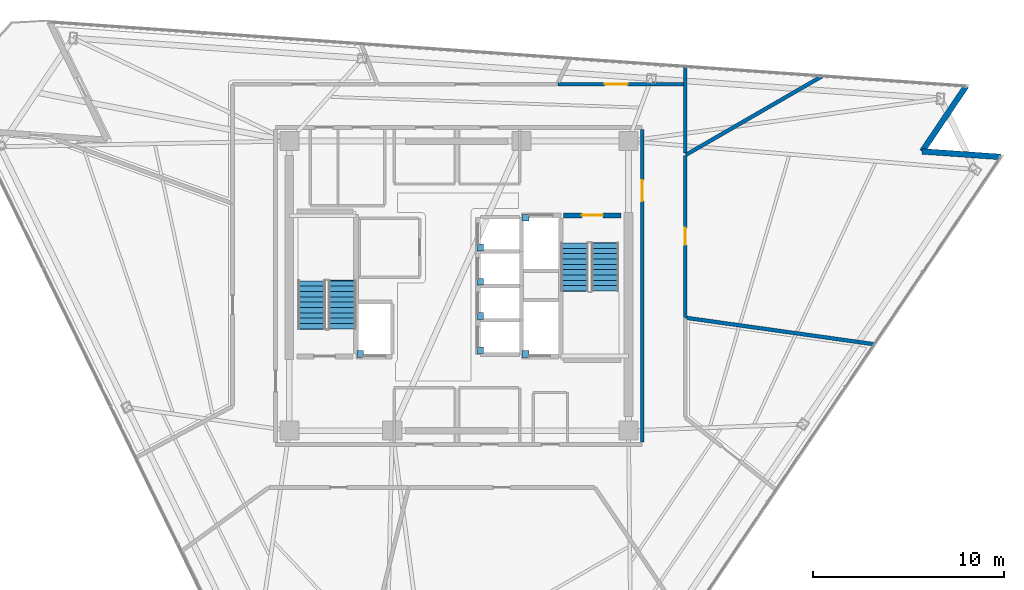
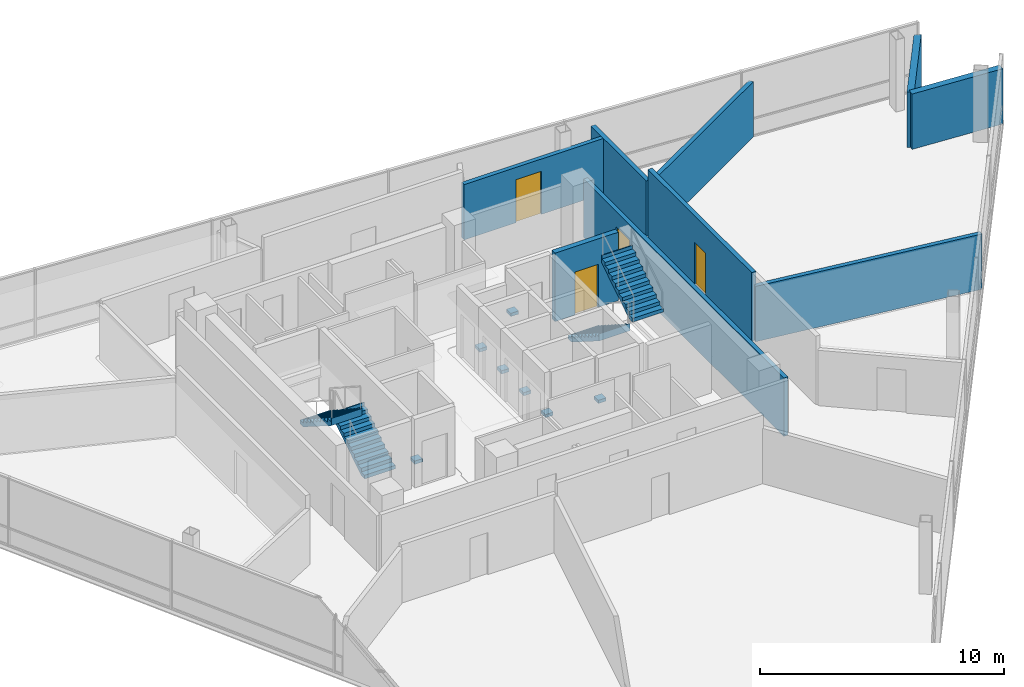
# One storey, part 11 of 13: 9 walls, 7 discrete accessories, 4 doors, 4 stair flights, 4 openings, 2 elements without a shape of their own.
"""IFC4 building model written with IfcOpenShell, lengths in metres."""

from ifc_helpers import new_model, si_unit, direction, frame, frame_2d, origin, origin_2d, place, context, subcontext, project, spatial, polyline, rectangle, outline, extrude, material, layer, layer_set, type_object, element, fill, aggregate, save


model = new_model("IFC4")

# Units and contexts
model_context = context("Model", 3, precision=1e-05, world=origin(), true_north=direction((0.0, 1.0)))
body_context = subcontext(model_context, "Body", "Model", "MODEL_VIEW")
ifc_project = project(units=[si_unit("LENGTHUNIT", "METRE"), si_unit("AREAUNIT", "SQUARE_METRE"), si_unit("VOLUMEUNIT", "CUBIC_METRE"), si_unit("PLANEANGLEUNIT", "RADIAN"), si_unit("MASSUNIT", "GRAM", prefix="KILO")], contexts=[model_context])

# Site, building, storey
site_placement = place(None, origin())
site = spatial("IfcSite", under=ifc_project, at=site_placement, CompositionType="ELEMENT")
building_placement = place(site_placement, origin())
building = spatial("IfcBuilding", under=site, at=building_placement, Name="Tharavind Bronze Gate", CompositionType="ELEMENT")
storey_placement = place(building_placement, frame((0.0, 0.0, 234.25)))
storey = spatial("IfcBuildingStorey", under=building, at=storey_placement, Name="L60", CompositionType="ELEMENT", Elevation=234.25)

# Walls
ifc_material_1 = material(Name="Concrete C40/50", Category="concrete")
ifc_layer_1 = layer(ifc_material_1, 0.300048828125)
ifc_layer_set_1 = layer_set([ifc_layer_1], Name="Concrete C40/50")
wall_type_1 = type_object("IfcWallType", Name="EXTERIOR SPANDREL WALL 300", PredefinedType="STANDARD", material=ifc_layer_set_1)
for number, where, z_axis, x_axis, name in (
    (1, (28.430419921875, 6.77001953125, 0.0), (0.0, 0.0, 1.0), (-0.997561808984, 0.069788518089, 0.0), "L60 notch cheek wall 3A"),
    (2, (24.3125, 7.05810546875, 0.0), (0.0, 0.0, 1.0), (0.559209737351, 0.829026217711, 0.0), "L60 notch cheek wall 3B"),
):
    element("IfcWall", number, at=place(storey_placement, frame(where, z_axis=z_axis, x_axis=x_axis)), inside=storey, type_object=wall_type_1, Name=name, PredefinedType="STANDARD", context=body_context, shape_type="SweptSolid", body=[
        extrude(rectangle(XDim=4.1279296875, YDim=0.300048828125, at=frame_2d((2.06396484375, 0.0))), origin(), (0.0, 0.0, 1.0), 2.764892578125),
    ])

# Wall, opening, door
ifc_material_2 = material(Name="Aerated Concrete Block", Category="concrete")
ifc_layer_2 = layer(ifc_material_2, 0.199951171875)
ifc_layer_set_2 = layer_set([ifc_layer_2], Name="Aerated Concrete Block")
wall_type_2 = type_object("IfcWallType", Name="FIRE RATED PARTITION 200", PredefinedType="PARTITIONING", material=ifc_layer_set_2)
wall_1_placement = place(storey_placement, frame((9.6201171875, -8.199951171875, 0.0), z_axis=(0.0, 0.0, 1.0), x_axis=(0.0, 1.0, 0.0)))
wall_1 = element("IfcWall", 3, at=wall_1_placement, inside=storey, type_object=wall_type_2, Name="L60 east core corridor wall", PredefinedType="PARTITIONING", context=body_context, shape_type="SweptSolid", body=[
    extrude(rectangle(XDim=16.39990234375, YDim=0.199951171875, at=frame_2d((8.199951171875, 0.0))), origin(), (0.0, 0.0, 1.0), 2.9150390625),
])
opening_1_placement = place(wall_1_placement, frame((12.64990234375, 0.0, 0.0)))
opening_1 = element("IfcOpeningElement", 4, at=opening_1_placement, cuts=wall_1, Name="Opening ID01", PredefinedType="OPENING", context=body_context, shape_type="SweptSolid", body=[
    extrude(rectangle(XDim=1.10009765625, YDim=2.14990234375, at=frame_2d((0.550048828125, 1.074951171875))), frame((0.0, 0.11009765625, 0.0), z_axis=(0.0, -1.0, 0.0), x_axis=(1.0, 0.0, 0.0)), (0.0, 0.0, 1.0), 0.219951171875),
])
ifc_material_3 = material(Name="Fire-Rated Steel", Category="steel")
door_type_1 = type_object("IfcDoorType", Name="STAIR CORE FIRE DOOR 1100X2150", OperationType="SINGLE_SWING_LEFT", PredefinedType="DOOR", material=ifc_material_3)
door_1_placement = place(opening_1_placement, frame((1.10009765625, 0.0, 0.0), z_axis=(0.0, 0.0, 1.0), x_axis=(-1.0, 0.0, 0.0)))
door_1 = element("IfcDoor", 5, at=door_1_placement, inside=storey, type_object=door_type_1, Name="L60 north east stair lobby fire door", OperationType="SINGLE_SWING_LEFT", OverallHeight=2.14990234375, OverallWidth=1.10009765625, PredefinedType="DOOR", context=body_context, shape_type="SweptSolid", body=[
    extrude(rectangle(XDim=1.10009765625, YDim=2.14990234375, at=frame_2d((0.550048828125, 1.074951171875))), frame((0.0, 0.02490234375, 0.0), z_axis=(0.0, -1.0, 0.0), x_axis=(1.0, 0.0, 0.0)), (0.0, 0.0, 1.0), 0.050048828125),
])
fill(opening_1, door_1)

wall_2_placement = place(storey_placement, frame((11.87939453125, 10.580078125, 0.0), z_axis=(0.0, 0.0, 1.0), x_axis=(-1.0, 0.0, 0.0)))
wall_2 = element("IfcWall", 6, at=wall_2_placement, inside=storey, type_object=wall_type_2, Name="L60 Transfer Reception Lounge partition", PredefinedType="PARTITIONING", context=body_context, shape_type="SweptSolid", body=[
    extrude(rectangle(XDim=6.67919921875, YDim=0.199951171875, at=frame_2d((3.339599609375, 0.0))), origin(), (0.0, 0.0, 1.0), 2.764892578125),
])
opening_2_placement = place(wall_2_placement, frame((3.02001953125, 0.0, 0.0)))
opening_2 = element("IfcOpeningElement", 7, at=opening_2_placement, cuts=wall_2, Name="Opening ID05", PredefinedType="OPENING", context=body_context, shape_type="SweptSolid", body=[
    extrude(rectangle(XDim=1.199951171875, YDim=2.14990234375, at=frame_2d((0.60009765625, 1.074951171875))), frame((0.0, 0.11009765625, 0.0), z_axis=(0.0, -1.0, 0.0), x_axis=(1.0, 0.0, 0.0)), (0.0, 0.0, 1.0), 0.219951171875),
])
ifc_material_4 = material(Name="Acoustic Laminated Glass", Category="glass")
door_type_2 = type_object("IfcDoorType", Name="MEETING ROOM GLAZED DOOR 1200X2150", OperationType="SINGLE_SWING_LEFT", PredefinedType="DOOR", material=ifc_material_4)
door_2_placement = place(opening_2_placement, origin())
door_2 = element("IfcDoor", 8, at=door_2_placement, inside=storey, type_object=door_type_2, Name="L60 Transfer Reception Lounge door", OperationType="SINGLE_SWING_LEFT", OverallHeight=2.14990234375, OverallWidth=1.199951171875, PredefinedType="DOOR", context=body_context, shape_type="SweptSolid", body=[
    extrude(rectangle(XDim=1.199951171875, YDim=2.14990234375, at=frame_2d((0.60009765625, 1.074951171875))), frame((0.0, 0.02490234375, 0.0), z_axis=(0.0, -1.0, 0.0), x_axis=(1.0, 0.0, 0.0)), (0.0, 0.0, 1.0), 0.050048828125),
])
fill(opening_2, door_2)

# Walls
wall_3_placement = place(storey_placement, frame((19.067138671875, 11.00830078125, 0.0), z_axis=(0.0, 0.0, 1.0), x_axis=(-0.86603440109, -0.499984415886, 0.0)))
element("IfcWall", 9, at=wall_3_placement, inside=storey, type_object=wall_type_2, Name="L60 Transfer Reception Lounge partition", PredefinedType="PARTITIONING", context=body_context, shape_type="SweptSolid", body=[
    extrude(rectangle(XDim=8.255615234375, YDim=0.199951171875, at=frame_2d((4.1279296875, 0.0))), origin(), (0.0, 0.0, 1.0), 2.764892578125),
])
wall_4_placement = place(storey_placement, frame((11.8798828125, 6.980224609375, 0.0), z_axis=(0.0, 0.0, 1.0), x_axis=(0.0, 1.0, 0.0)))
element("IfcWall", 10, at=wall_4_placement, inside=storey, type_object=wall_type_2, Name="L60 Transfer Reception Lounge partition", PredefinedType="PARTITIONING", context=body_context, shape_type="SweptSolid", body=[
    extrude(rectangle(XDim=4.53076171875, YDim=0.199951171875, at=frame_2d((2.265380859375, 0.0))), origin(), (0.0, 0.0, 1.0), 2.764892578125),
])
wall_5_placement = place(storey_placement, frame((11.908447265625, -1.673583984375, 0.0), z_axis=(0.0, 0.0, 1.0), x_axis=(0.990267216457, -0.139179165143, 0.0)))
element("IfcWall", 11, at=wall_5_placement, inside=storey, type_object=wall_type_2, Name="L60 Espresso Cafe partition", PredefinedType="PARTITIONING", context=body_context, shape_type="SweptSolid", body=[
    extrude(rectangle(XDim=9.986328125, YDim=0.199951171875, at=frame_2d((4.9931640625, 0.0))), origin(), (0.0, 0.0, 1.0), 2.764892578125),
])

# Wall, opening, door
wall_6_placement = place(storey_placement, frame((11.8798828125, -1.64794921875, 0.0), z_axis=(0.0, 0.0, 1.0), x_axis=(0.0, 1.0, 0.0)))
wall_6 = element("IfcWall", 12, at=wall_6_placement, inside=storey, type_object=wall_type_2, Name="L60 Back-of-House Store partition", PredefinedType="PARTITIONING", context=body_context, shape_type="SweptSolid", body=[
    extrude(rectangle(XDim=8.492431640625, YDim=0.199951171875, at=frame_2d((4.24609375, 0.0))), origin(), (0.0, 0.0, 1.0), 3.419921875),
])
opening_3_placement = place(wall_6_placement, frame((3.7958984375, 0.0, 0.0)))
opening_3 = element("IfcOpeningElement", 13, at=opening_3_placement, cuts=wall_6, Name="Opening ID07", PredefinedType="OPENING", context=body_context, shape_type="SweptSolid", body=[
    extrude(rectangle(XDim=0.89990234375, YDim=2.10009765625, at=frame_2d((0.449951171875, 1.050048828125))), frame((0.0, 0.11009765625, 0.0), z_axis=(0.0, -1.0, 0.0), x_axis=(1.0, 0.0, 0.0)), (0.0, 0.0, 1.0), 0.219951171875),
])
ifc_material_5 = material(Name="Galvanised Fire Steel", Category="steel")
door_type_3 = type_object("IfcDoorType", Name="PLANT AND RISER FIRE DOOR 900X2100", OperationType="SINGLE_SWING_LEFT", PredefinedType="DOOR", material=ifc_material_5)
door_3_placement = place(opening_3_placement, origin())
door_3 = element("IfcDoor", 14, at=door_3_placement, inside=storey, type_object=door_type_3, Name="L60 Back-of-House Store door", OperationType="SINGLE_SWING_LEFT", OverallHeight=2.10009765625, OverallWidth=0.89990234375, PredefinedType="DOOR", context=body_context, shape_type="SweptSolid", body=[
    extrude(rectangle(XDim=0.89990234375, YDim=2.10009765625, at=frame_2d((0.449951171875, 1.050048828125))), frame((0.0, 0.02490234375, 0.0), z_axis=(0.0, -1.0, 0.0), x_axis=(1.0, 0.0, 0.0)), (0.0, 0.0, 1.0), 0.050048828125),
])
fill(opening_3, door_3)

ifc_material_6 = material(Name="Concrete C50/60", Category="concrete")
ifc_layer_3 = layer(ifc_material_6, 0.25)
ifc_layer_set_3 = layer_set([ifc_layer_3], Name="Concrete C50/60")
wall_type_3 = type_object("IfcWallType", Name="RC CORE SHEAR WALL 250", PredefinedType="SHEAR", material=ifc_layer_set_3)
wall_7_placement = place(storey_placement, frame((5.5, 3.699951171875, 0.0), z_axis=(0.0, 0.0, 1.0), x_axis=(1.0, 0.0, 0.0)))
wall_7 = element("IfcWall", 15, at=wall_7_placement, inside=storey, type_object=wall_type_3, Name="L60 ST2 shaft north wall", PredefinedType="SHEAR", context=body_context, shape_type="SweptSolid", body=[
    extrude(rectangle(XDim=3.0, YDim=0.25, at=frame_2d((1.5, 0.0))), origin(), (0.0, 0.0, 1.0), 3.419921875),
])
opening_4_placement = place(wall_7_placement, frame((0.949951171875, 0.0, 0.0)))
opening_4 = element("IfcOpeningElement", 16, at=opening_4_placement, cuts=wall_7, Name="Opening ID01", PredefinedType="OPENING", context=body_context, shape_type="SweptSolid", body=[
    extrude(rectangle(XDim=1.10009765625, YDim=2.14990234375, at=frame_2d((0.550048828125, 1.074951171875))), frame((0.0, 0.135, 0.0), z_axis=(0.0, -1.0, 0.0), x_axis=(1.0, 0.0, 0.0)), (0.0, 0.0, 1.0), 0.27),
])
door_4_placement = place(opening_4_placement, frame((1.10009765625, 0.0, 0.0), z_axis=(0.0, 0.0, 1.0), x_axis=(-1.0, 0.0, 0.0)))
door_4 = element("IfcDoor", 17, at=door_4_placement, inside=storey, type_object=door_type_1, Name="L60 exit stair ST2 fire door", OperationType="SINGLE_SWING_LEFT", OverallHeight=2.14990234375, OverallWidth=1.10009765625, PredefinedType="DOOR", context=body_context, shape_type="SweptSolid", body=[
    extrude(rectangle(XDim=1.10009765625, YDim=2.14990234375, at=frame_2d((0.550048828125, 1.074951171875))), frame((0.0, 0.02490234375, 0.0), z_axis=(0.0, -1.0, 0.0), x_axis=(1.0, 0.0, 0.0)), (0.0, 0.0, 1.0), 0.050048828125),
])
fill(opening_4, door_4)

# Stair, stair flights
stair_type = type_object("IfcStairType", Name="CORE HALF TURN STAIR 1450", PredefinedType="HALF_TURN_STAIR", material=ifc_material_1)
stair_1_placement = place(storey_placement, origin())
stair_1 = element("IfcStair", 18, at=stair_1_placement, inside=storey, type_object=stair_type, Name="L60 Protected Exit Stair ST1", PredefinedType="HALF_TURN_STAIR")
stair_flight_type = type_object("IfcStairFlightType", Name="CORE STAIR FLIGHT 1450", PredefinedType="STRAIGHT", material=ifc_material_1)
stair_flight_1_placement = place(storey_placement, frame((-6.125, -2.25, 0.0), z_axis=(0.0, 0.0, 1.0), x_axis=(0.0, 1.0, 0.0)))
stair_flight_1 = element("IfcStairFlight", 19, at=stair_flight_1_placement, type_object=stair_flight_type, Name="ST1 flight 1", NumberOfRisers=10, NumberOfTreads=9, PredefinedType="STRAIGHT", RiserHeight=0.18, TreadLength=0.28, context=body_context, shape_type="SweptSolid", body=[
    extrude(outline(polyline([(0.0, 0.0), (0.0, 0.179931640625), (0.280029296875, 0.179931640625), (0.280029296875, 0.360107421875), (0.56005859375, 0.360107421875), (0.56005859375, 0.5400390625), (0.840087890625, 0.5400390625), (0.840087890625, 0.719970703125), (1.1201171875, 0.719970703125), (1.1201171875, 0.89990234375), (1.39990234375, 0.89990234375), (1.39990234375, 1.080078125), (1.679931640625, 1.080078125), (1.679931640625, 1.260009765625), (1.9599609375, 1.260009765625), (1.9599609375, 1.43994140625), (2.239990234375, 1.43994140625), (2.239990234375, 1.6201171875), (2.52001953125, 1.6201171875), (2.52001953125, 1.800048828125), (2.555908203125, 1.800048828125), (2.555908203125, 1.44189453125), (0.277099609375, 0.0), (0.0, 0.0)])), frame((0.0, 0.72509765625, 0.0), z_axis=(0.0, -1.0, 0.0), x_axis=(1.0, 0.0, 0.0)), (0.0, 0.0, 1.0), 1.449951171875),
])
stair_flight_2_placement = place(storey_placement, frame((-7.72509765625, 0.27001953125, 1.800048828125), z_axis=(0.0, 0.0, 1.0), x_axis=(0.0, -1.0, 0.0)))
stair_flight_2 = element("IfcStairFlight", 20, at=stair_flight_2_placement, type_object=stair_flight_type, Name="ST1 flight 2", NumberOfRisers=10, NumberOfTreads=9, PredefinedType="STRAIGHT", RiserHeight=0.18, TreadLength=0.28, context=body_context, shape_type="SweptSolid", body=[
    extrude(outline(polyline([(0.0, 0.0), (0.0, 0.179931640625), (0.280029296875, 0.179931640625), (0.280029296875, 0.360107421875), (0.56005859375, 0.360107421875), (0.56005859375, 0.5400390625), (0.840087890625, 0.5400390625), (0.840087890625, 0.719970703125), (1.1201171875, 0.719970703125), (1.1201171875, 0.89990234375), (1.39990234375, 0.89990234375), (1.39990234375, 1.080078125), (1.679931640625, 1.080078125), (1.679931640625, 1.260009765625), (1.9599609375, 1.260009765625), (1.9599609375, 1.43994140625), (2.239990234375, 1.43994140625), (2.239990234375, 1.6201171875), (2.52001953125, 1.6201171875), (2.52001953125, 1.800048828125), (2.555908203125, 1.800048828125), (2.555908203125, 1.44189453125), (0.277099609375, 0.0), (0.0, 0.0)])), frame((0.0, 0.72509765625, 0.0), z_axis=(0.0, -1.0, 0.0), x_axis=(1.0, 0.0, 0.0)), (0.0, 0.0, 1.0), 1.449951171875),
])
aggregate(stair_1, [stair_flight_1, stair_flight_2])

stair_2_placement = place(storey_placement, origin())
stair_2 = element("IfcStair", 21, at=stair_2_placement, inside=storey, type_object=stair_type, Name="L60 Protected Exit Stair ST2", PredefinedType="HALF_TURN_STAIR")
stair_flight_3_placement = place(storey_placement, frame((6.074951171875, 2.25, 0.0), z_axis=(0.0, 0.0, 1.0), x_axis=(0.0, -1.0, 0.0)))
stair_flight_3 = element("IfcStairFlight", 22, at=stair_flight_3_placement, type_object=stair_flight_type, Name="ST2 flight 1", NumberOfRisers=10, NumberOfTreads=9, PredefinedType="STRAIGHT", RiserHeight=0.18, TreadLength=0.28, context=body_context, shape_type="SweptSolid", body=[
    extrude(outline(polyline([(0.0, 0.0), (0.0, 0.179931640625), (0.280029296875, 0.179931640625), (0.280029296875, 0.360107421875), (0.56005859375, 0.360107421875), (0.56005859375, 0.5400390625), (0.840087890625, 0.5400390625), (0.840087890625, 0.719970703125), (1.1201171875, 0.719970703125), (1.1201171875, 0.89990234375), (1.39990234375, 0.89990234375), (1.39990234375, 1.080078125), (1.679931640625, 1.080078125), (1.679931640625, 1.260009765625), (1.9599609375, 1.260009765625), (1.9599609375, 1.43994140625), (2.239990234375, 1.43994140625), (2.239990234375, 1.6201171875), (2.52001953125, 1.6201171875), (2.52001953125, 1.800048828125), (2.555908203125, 1.800048828125), (2.555908203125, 1.44189453125), (0.277099609375, 0.0), (0.0, 0.0)])), frame((0.0, 0.72509765625, 0.0), z_axis=(0.0, -1.0, 0.0), x_axis=(1.0, 0.0, 0.0)), (0.0, 0.0, 1.0), 1.449951171875),
])
stair_flight_4_placement = place(storey_placement, frame((7.675048828125, -0.27001953125, 1.800048828125), z_axis=(0.0, 0.0, 1.0), x_axis=(0.0, 1.0, 0.0)))
stair_flight_4 = element("IfcStairFlight", 23, at=stair_flight_4_placement, type_object=stair_flight_type, Name="ST2 flight 2", NumberOfRisers=10, NumberOfTreads=9, PredefinedType="STRAIGHT", RiserHeight=0.18, TreadLength=0.28, context=body_context, shape_type="SweptSolid", body=[
    extrude(outline(polyline([(0.0, 0.0), (0.0, 0.179931640625), (0.280029296875, 0.179931640625), (0.280029296875, 0.360107421875), (0.56005859375, 0.360107421875), (0.56005859375, 0.5400390625), (0.840087890625, 0.5400390625), (0.840087890625, 0.719970703125), (1.1201171875, 0.719970703125), (1.1201171875, 0.89990234375), (1.39990234375, 0.89990234375), (1.39990234375, 1.080078125), (1.679931640625, 1.080078125), (1.679931640625, 1.260009765625), (1.9599609375, 1.260009765625), (1.9599609375, 1.43994140625), (2.239990234375, 1.43994140625), (2.239990234375, 1.6201171875), (2.52001953125, 1.6201171875), (2.52001953125, 1.800048828125), (2.555908203125, 1.800048828125), (2.555908203125, 1.44189453125), (0.277099609375, 0.0), (0.0, 0.0)])), frame((0.0, 0.72509765625, 0.0), z_axis=(0.0, -1.0, 0.0), x_axis=(1.0, 0.0, 0.0)), (0.0, 0.0, 1.0), 1.449951171875),
])
aggregate(stair_2, [stair_flight_3, stair_flight_4])

# Discrete accessories
ifc_material_7 = material(Name="Galvanised Steel S355", Category="steel")
discrete_accessory_type = type_object("IfcDiscreteAccessoryType", Name="LIFT GUIDE RAIL BRACKET", PredefinedType="BRACKET", material=ifc_material_7)
for number, where, z_axis, x_axis, name in (
    (24, (1.1201171875, -3.3798828125, 1.1201171875), (0.0, 0.0, 1.0), (1.0, 0.0, 0.0), "Lift PL9 guide rail bracket at L60"),
    (25, (1.1201171875, -1.580078125, 1.1201171875), (0.0, 0.0, 1.0), (1.0, 0.0, 0.0), "Lift PL10 guide rail bracket at L60"),
    (26, (1.1201171875, 0.219970703125, 1.1201171875), (0.0, 0.0, 1.0), (1.0, 0.0, 0.0), "Lift PL11 guide rail bracket at L60"),
    (27, (1.1201171875, 2.02001953125, 1.1201171875), (0.0, 0.0, 1.0), (1.0, 0.0, 0.0), "Lift PL12 guide rail bracket at L60"),
    (28, (-5.179931640625, -3.580078125, 1.1201171875), (0.0, 0.0, 1.0), (1.0, 0.0, 0.0), "Lift FFL1 guide rail bracket at L60"),
    (29, (3.5, 3.580078125, 1.1201171875), (0.0, 0.0, 1.0), (1.0, 0.0, 0.0), "Lift FFL2 guide rail bracket at L60"),
    (30, (3.5, -3.580078125, 1.1201171875), (0.0, 0.0, 1.0), (1.0, 0.0, 0.0), "Lift SVL1 guide rail bracket at L60"),
):
    element("IfcDiscreteAccessory", number, at=place(storey_placement, frame(where, z_axis=z_axis, x_axis=x_axis)), inside=storey, type_object=discrete_accessory_type, Name=name, PredefinedType="BRACKET", context=body_context, shape_type="SweptSolid", body=[
        extrude(rectangle(XDim=0.360107421875, YDim=0.360107421875, at=origin_2d()), origin(), (0.0, 0.0, 1.0), 0.159912109375),
    ])

save(model, "model.ifc")
